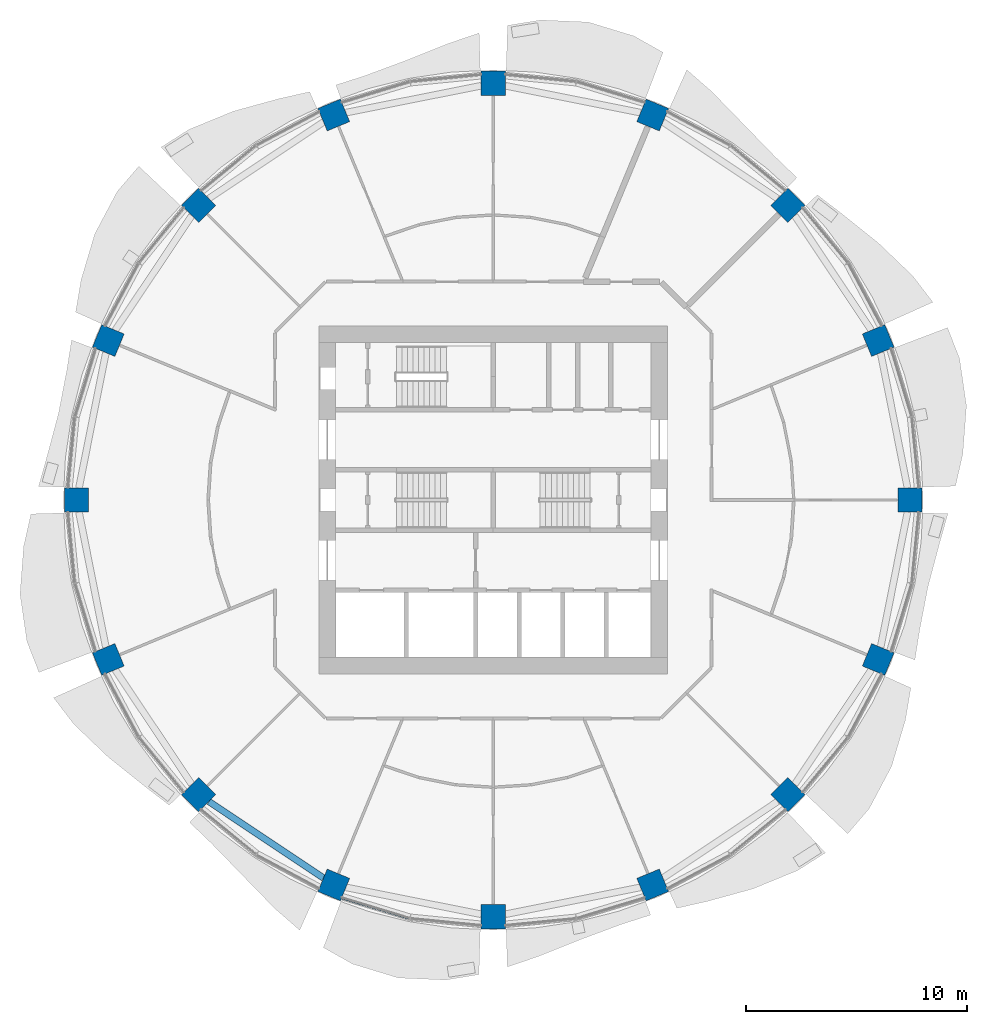
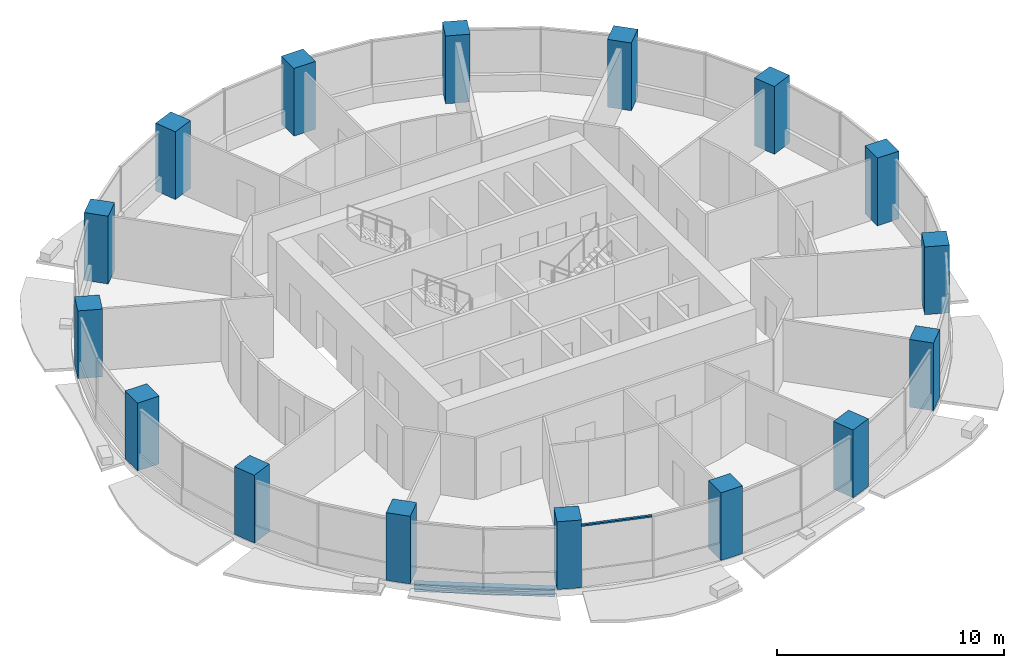
# One storey, part 1 of 15: 16 columns, 1 beam, 1 member, 1 element without a shape of its own.
"""IFC4 building model written with IfcOpenShell, lengths in metres."""

from ifc_helpers import new_model, si_unit, direction, frame, origin, origin_2d, place, context, subcontext, project, spatial, rectangle, i_section, extrude, material, material_profile, profile_set, type_object, element, aggregate, save


model = new_model("IFC4")

# Units and contexts
model_context = context("Model", 3, precision=1e-05, world=origin(), true_north=direction((0.0, 1.0)))
body_context = subcontext(model_context, "Body", "Model", "MODEL_VIEW")
ifc_project = project(units=[si_unit("LENGTHUNIT", "METRE"), si_unit("AREAUNIT", "SQUARE_METRE"), si_unit("VOLUMEUNIT", "CUBIC_METRE"), si_unit("PLANEANGLEUNIT", "RADIAN"), si_unit("MASSUNIT", "GRAM", prefix="KILO")], contexts=[model_context])

# Site, building, storey
site_placement = place(None, origin())
site = spatial("IfcSite", under=ifc_project, at=site_placement, CompositionType="ELEMENT")
building_placement = place(site_placement, origin())
building = spatial("IfcBuilding", under=site, at=building_placement, Name="Polderwave Tower", CompositionType="ELEMENT")
storey_placement = place(building_placement, frame((0.0, 0.0, 80.050048828125)))
storey = spatial("IfcBuildingStorey", under=building, at=storey_placement, Name="L20", CompositionType="ELEMENT", Elevation=80.050048828125)

# Columns
ifc_material_1 = material(Name="Concrete C70/85", Category="concrete")
ifc_material_profile_1 = material_profile(ifc_material_1, rectangle(XDim=1.10009765625, YDim=1.10009765625, at=origin_2d()), Name="RC 1100x1100")
ifc_profile_set_1 = profile_set([ifc_material_profile_1], Name="Concrete C70/85")
column_type = type_object("IfcColumnType", Name="RC COLUMN 1100x1100 C70/85", PredefinedType="COLUMN", material=ifc_profile_set_1)
for number, where, z_axis, x_axis, name in (
    (1, (18.840087890625, 0.0, 0.0), (0.0, 0.0, 1.0), (1.0, 0.0, 0.0), "Ring column 01"),
    (2, (17.406005859375, 7.209716796875, 0.0), (0.0, 0.0, 1.0), (0.923879532511, 0.382683432365, 0.0), "Ring column 02"),
    (3, (13.32177734375, 13.32177734375, 0.0), (0.0, 0.0, 1.0), (0.707106781187, 0.707106781187, 0.0), "Ring column 03"),
    (4, (7.209716796875, 17.406005859375, 0.0), (0.0, 0.0, 1.0), (0.382683432365, 0.923879532511, 0.0), "Ring column 04"),
    (5, (0.0, 18.840087890625, 0.0), (0.0, 0.0, 1.0), (0.0, 1.0, 0.0), "Ring column 05"),
    (6, (-7.209716796875, 17.406005859375, 0.0), (0.0, 0.0, 1.0), (-0.382683432365, 0.923879532511, 0.0), "Ring column 06"),
    (7, (-13.32177734375, 13.32177734375, 0.0), (0.0, 0.0, 1.0), (-0.707106781187, 0.707106781187, 0.0), "Ring column 07"),
    (8, (-17.406005859375, 7.209716796875, 0.0), (0.0, 0.0, 1.0), (-0.923879532511, 0.382683432365, 0.0), "Ring column 08"),
    (9, (-18.840087890625, 0.0, 0.0), (0.0, 0.0, 1.0), (-1.0, 0.0, 0.0), "Ring column 09"),
    (10, (-17.406005859375, -7.209716796875, 0.0), (0.0, 0.0, 1.0), (-0.923879532511, -0.382683432365, 0.0), "Ring column 10"),
    (11, (-13.32177734375, -13.32177734375, 0.0), (0.0, 0.0, 1.0), (-0.707106781187, -0.707106781187, 0.0), "Ring column 11"),
    (12, (-7.209716796875, -17.406005859375, 0.0), (0.0, 0.0, 1.0), (-0.382683432365, -0.923879532511, 0.0), "Ring column 12"),
    (13, (0.0, -18.840087890625, 0.0), (0.0, 0.0, 1.0), (0.0, -1.0, 0.0), "Ring column 13"),
    (14, (7.209716796875, -17.406005859375, 0.0), (0.0, 0.0, 1.0), (0.382683432365, -0.923879532511, 0.0), "Ring column 14"),
    (15, (13.32177734375, -13.32177734375, 0.0), (0.0, 0.0, 1.0), (0.707106781187, -0.707106781187, 0.0), "Ring column 15"),
    (16, (17.406005859375, -7.209716796875, 0.0), (0.0, 0.0, 1.0), (0.923879532511, -0.382683432365, 0.0), "Ring column 16"),
):
    element("IfcColumn", number, at=place(storey_placement, frame(where, z_axis=z_axis, x_axis=x_axis)), inside=storey, type_object=column_type, Name=name, PredefinedType="COLUMN", context=body_context, shape_type="SweptSolid", body=[
        extrude(rectangle(XDim=1.10009765625, YDim=1.10009765625, at=origin_2d()), origin(), (0.0, 0.0, 1.0), 3.64990234375),
    ])

# Curtain wall, member
ifc_material_2 = material(Name="Aluminium 6063-T6 and glass", Category="aluminium")
curtain_wall_type = type_object("IfcCurtainWallType", Name="Growing floor ribbon glazing wall", PredefinedType="NOTDEFINED", material=ifc_material_2)
curtain_wall_placement = place(storey_placement, origin())
curtain_wall = element("IfcCurtainWall", 17, at=curtain_wall_placement, inside=storey, type_object=curtain_wall_type, Name="CW2 L20 11", PredefinedType="NOTDEFINED")
ifc_material_3 = material(Name="Aluminium 6063-T6", Category="aluminium")
ifc_material_profile_2 = material_profile(ifc_material_3, rectangle(XDim=0.1201171875, YDim=0.080078125, at=origin_2d()), Name="AL 80x120")
ifc_profile_set_2 = profile_set([ifc_material_profile_2], Name="Aluminium 6063-T6")
member_type = type_object("IfcMemberType", Name="Growing floor ribbon glazing transom 80x120", PredefinedType="USERDEFINED", material=ifc_profile_set_2)
member_placement = place(storey_placement, frame((-6.85302734375, -17.98193359375, 3.260009765625), z_axis=(0.956954412848, -0.290238267171, 0.0), x_axis=(0.290238267171, 0.956954412848, 0.0)))
member = element("IfcMember", 18, at=member_placement, type_object=member_type, Name="CW2 transom 1", ObjectType="TRANSOM", PredefinedType="USERDEFINED", context=body_context, shape_type="SweptSolid", body=[
    extrude(rectangle(XDim=0.1201171875, YDim=0.080078125, at=origin_2d()), origin(), (0.0, 0.0, 1.0), 3.198974609375),
])
aggregate(curtain_wall, [member])

# Beam
ifc_material_4 = material(Name="Steel S355", Category="steel")
ifc_material_profile_3 = material_profile(ifc_material_4, i_section(OverallWidth=0.300048828125, OverallDepth=0.39990234375, WebThickness=0.013427734375, FlangeThickness=0.02392578125, at=origin_2d()), Name="HE 400 B")
ifc_profile_set_3 = profile_set([ifc_material_profile_3], Name="Steel S355")
beam_type = type_object("IfcBeamType", Name="RING BEAM HE 400 B", PredefinedType="BEAM", material=ifc_profile_set_3)
beam_placement = place(storey_placement, frame((-12.855712890625, -13.633544921875, -0.550048828125), z_axis=(0.831489127752, -0.555541024975, 0.0), x_axis=(0.555541024975, 0.831489127752, 0.0)))
element("IfcBeam", 19, at=beam_placement, inside=storey, type_object=beam_type, Name="ST-RB-L20-10", PredefinedType="BEAM", context=body_context, shape_type="SweptSolid", body=[
    extrude(i_section(OverallWidth=0.300048828125, OverallDepth=0.39990234375, WebThickness=0.013427734375, FlangeThickness=0.02392578125, at=origin_2d()), origin(), (0.0, 0.0, 1.0), 6.2294921875),
])

save(model, "model.ifc")
